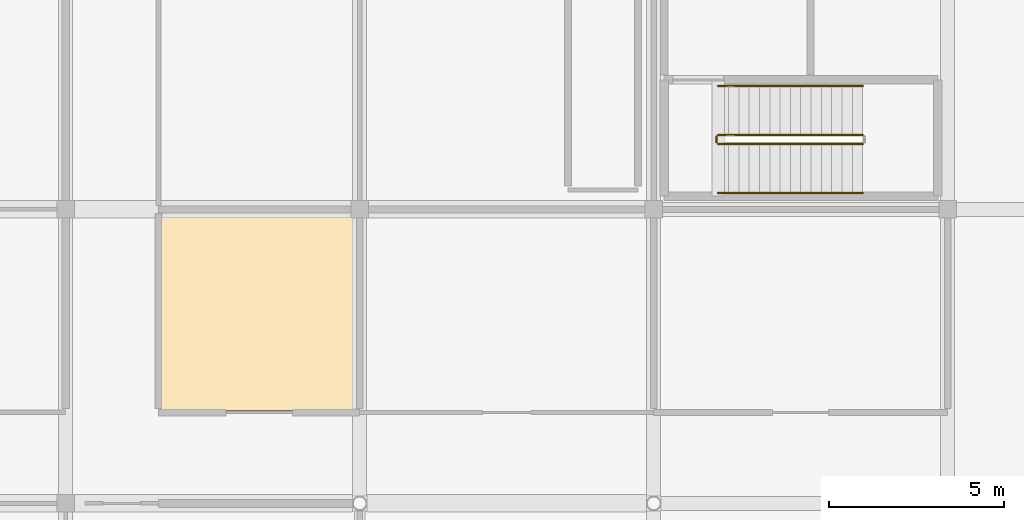
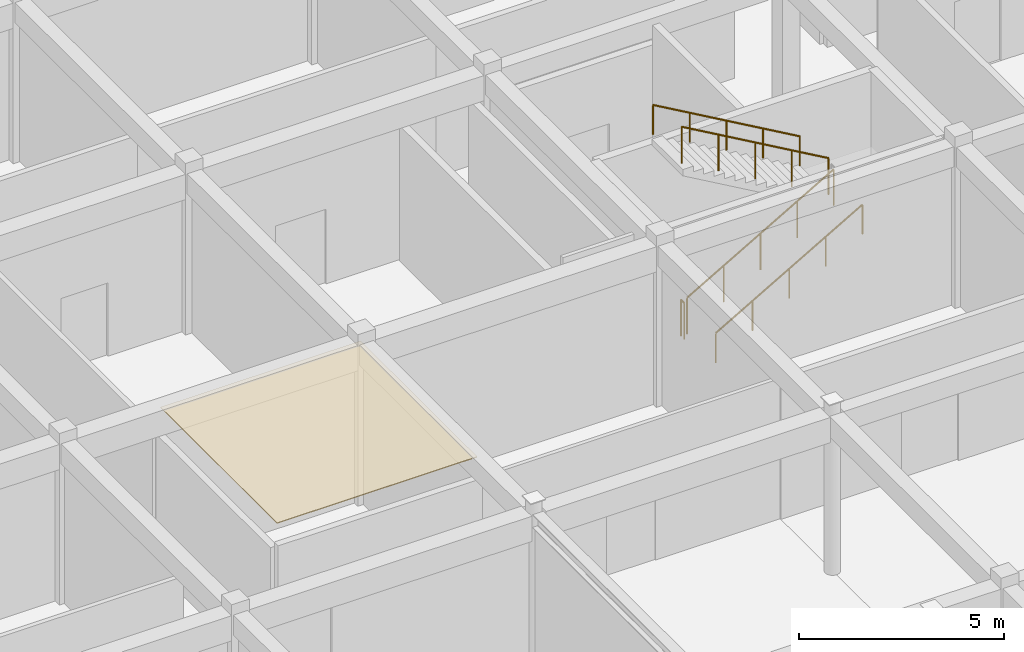
# One storey, part 123 of 134: 5 railings, 1 covering.
"""IFC4 building model written with IfcOpenShell, lengths in metres."""

from ifc_helpers import new_model, si_unit, direction, frame, origin, origin_2d, place, context, subcontext, project, spatial, polyline, circle, outline, extrude, material, layer, layer_set, type_object, element, save


model = new_model("IFC4")

# Units and contexts
model_context = context("Model", 3, precision=1e-05, world=origin(), true_north=direction((0.0, 1.0)))
body_context = subcontext(model_context, "Body", "Model", "MODEL_VIEW")
ifc_project = project(units=[si_unit("LENGTHUNIT", "METRE"), si_unit("AREAUNIT", "SQUARE_METRE"), si_unit("VOLUMEUNIT", "CUBIC_METRE"), si_unit("PLANEANGLEUNIT", "RADIAN"), si_unit("MASSUNIT", "GRAM", prefix="KILO")], contexts=[model_context])

# Site, building, storey
site_placement = place(None, origin())
site = spatial("IfcSite", under=ifc_project, at=site_placement, CompositionType="ELEMENT")
building_placement = place(site_placement, origin())
building = spatial("IfcBuilding", under=site, at=building_placement, Name="Bramfleet General Hospital", CompositionType="ELEMENT")
storey_placement = place(building_placement, frame((0.0, 0.0, 9.300048828125)))
storey = spatial("IfcBuildingStorey", under=building, at=storey_placement, Name="L02", CompositionType="ELEMENT", Elevation=9.300048828125)

# Covering
ifc_material_1 = material(Name="Hygienic acoustic mineral-fibre ceiling")
ifc_layer = layer(ifc_material_1, 0.02490234375, Name="COV-HYG-CEIL")
ifc_layer_set = layer_set([ifc_layer], Name="Hygienic acoustic mineral-fibre ceiling")
covering_type = type_object("IfcCoveringType", Name="COV-HYG-CEIL", PredefinedType="CEILING", material=ifc_layer_set)
covering_placement = place(storey_placement, frame((0.0, 0.0, 4.71484375)))
element("IfcCovering", 1, at=covering_placement, inside=storey, type_object=covering_type, Name="Operating Theatre 3 Hygienic Ceiling", PredefinedType="CEILING", context=body_context, shape_type="SweptSolid", body=[
    extrude(outline(polyline([(44.7099609375, 61.4599609375), (44.7099609375, 67.139892578125), (50.340087890625, 67.139892578125), (50.340087890625, 61.4599609375), (44.7099609375, 61.4599609375)])), origin(), (0.0, 0.0, 1.0), 0.025146484375),
])

# Railings
ifc_material_2 = material(Name="Powder-coated steel stair balustrade", Category="steel")
railing_type_1 = type_object("IfcRailingType", Name="RAIL-ST-GUARD", PredefinedType="GUARDRAIL", material=ifc_material_2)
railing_1_placement = place(storey_placement, frame((60.639892578125, 69.070068359375, 0.169921875)))
element("IfcRailing", 2, at=railing_1_placement, inside=storey, type_object=railing_type_1, Name="L02 ST-C13 stair guard 1", PredefinedType="GUARDRAIL", context=body_context, shape_type="SweptSolid", body=[
    extrude(circle(Radius=0.02392578125, at=origin_2d()), frame((0.0, 0.0, 1.076171875), z_axis=(0.866425082981, 0.0, 0.499307095465), x_axis=(0.0, 1.0, 0.0)), (0.0, 0.0, 1.0), 4.766845703125),
    extrude(circle(Radius=0.02099609375, at=origin_2d()), origin(), (0.0, 0.0, 1.0), 1.052001953125),
    extrude(circle(Radius=0.02099609375, at=origin_2d()), frame((1.032470703125, 0.0, 0.594970703125)), (0.0, 0.0, 1.0), 1.052001953125),
    extrude(circle(Radius=0.02099609375, at=origin_2d()), frame((2.06494140625, 0.0, 1.18994140625)), (0.0, 0.0, 1.0), 1.052001953125),
    extrude(circle(Radius=0.02099609375, at=origin_2d()), frame((3.09765625, 0.0, 1.78515625)), (0.0, 0.0, 1.0), 1.052001953125),
    extrude(circle(Radius=0.02099609375, at=origin_2d()), frame((4.130126953125, 0.0, 2.380126953125)), (0.0, 0.0, 1.0), 1.052001953125),
])
railing_2_placement = place(storey_placement, frame((64.77001953125, 69.330078125, 2.719970703125)))
element("IfcRailing", 3, at=railing_2_placement, inside=storey, type_object=railing_type_1, Name="L02 ST-C13 stair guard 3", PredefinedType="GUARDRAIL", context=body_context, shape_type="SweptSolid", body=[
    extrude(circle(Radius=0.02392578125, at=origin_2d()), frame((0.0, 0.0, 1.076171875), z_axis=(-0.866447239463, 0.0, 0.499268646349), x_axis=(0.0, -1.0, 0.0)), (0.0, 0.0, 1.0), 4.766845703125),
    extrude(circle(Radius=0.02099609375, at=origin_2d()), origin(), (0.0, 0.0, 1.0), 1.052001953125),
    extrude(circle(Radius=0.02099609375, at=origin_2d()), frame((-1.032470703125, 0.0, 0.594970703125)), (0.0, 0.0, 1.0), 1.052001953125),
    extrude(circle(Radius=0.02099609375, at=origin_2d()), frame((-2.06494140625, 0.0, 1.18994140625)), (0.0, 0.0, 1.0), 1.052001953125),
    extrude(circle(Radius=0.02099609375, at=origin_2d()), frame((-3.09765625, 0.0, 1.784912109375)), (0.0, 0.0, 1.0), 1.052001953125),
    extrude(circle(Radius=0.02099609375, at=origin_2d()), frame((-4.130126953125, 0.0, 2.3798828125)), (0.0, 0.0, 1.0), 1.052001953125),
])
railing_3_placement = place(storey_placement, frame((60.590087890625, 69.1201171875, 0.0)))
element("IfcRailing", 4, at=railing_3_placement, inside=storey, type_object=railing_type_1, Name="L02 ST-C13 stair guard 4", PredefinedType="GUARDRAIL", context=body_context, shape_type="SweptSolid", body=[
    extrude(circle(Radius=0.02392578125, at=origin_2d()), frame((0.0, 0.0, 1.076171875), z_axis=(0.0, 1.0, 0.0), x_axis=(-1.0, 0.0, 0.0)), (0.0, 0.0, 1.0), 0.159912109375),
    extrude(circle(Radius=0.02099609375, at=origin_2d()), origin(), (0.0, 0.0, 1.0), 1.052001953125),
    extrude(circle(Radius=0.02099609375, at=origin_2d()), frame((0.0, 0.159912109375, 0.0)), (0.0, 0.0, 1.0), 1.052001953125),
])
ifc_material_3 = material(Name="Stainless steel 1.4301 stair handrail", Category="steel")
railing_type_2 = type_object("IfcRailingType", Name="RAIL-ST-HND", PredefinedType="HANDRAIL", material=ifc_material_3)
railing_4_placement = place(storey_placement, frame((60.639892578125, 67.669921875, 0.169921875)))
element("IfcRailing", 5, at=railing_4_placement, inside=storey, type_object=railing_type_2, Name="L02 ST-C13 stair handrail 1", PredefinedType="HANDRAIL", context=body_context, shape_type="SweptSolid", body=[
    extrude(circle(Radius=0.02392578125, at=origin_2d()), frame((0.0, 0.0, 0.8759765625), z_axis=(0.866425082981, 0.0, 0.499307095465), x_axis=(0.0, 1.0, 0.0)), (0.0, 0.0, 1.0), 4.766845703125),
    extrude(circle(Radius=0.02099609375, at=origin_2d()), origin(), (0.0, 0.0, 1.0), 0.851806640625),
    extrude(circle(Radius=0.02099609375, at=origin_2d()), frame((1.032470703125, 0.0, 0.594970703125)), (0.0, 0.0, 1.0), 0.851806640625),
    extrude(circle(Radius=0.02099609375, at=origin_2d()), frame((2.06494140625, 0.0, 1.18994140625)), (0.0, 0.0, 1.0), 0.851806640625),
    extrude(circle(Radius=0.02099609375, at=origin_2d()), frame((3.09765625, 0.0, 1.78515625)), (0.0, 0.0, 1.0), 0.851806640625),
    extrude(circle(Radius=0.02099609375, at=origin_2d()), frame((4.130126953125, 0.0, 2.380126953125)), (0.0, 0.0, 1.0), 0.851806640625),
])
railing_5_placement = place(storey_placement, frame((64.77001953125, 70.72998046875, 2.719970703125)))
element("IfcRailing", 6, at=railing_5_placement, inside=storey, type_object=railing_type_2, Name="L02 ST-C13 stair handrail 2", PredefinedType="HANDRAIL", context=body_context, shape_type="SweptSolid", body=[
    extrude(circle(Radius=0.02392578125, at=origin_2d()), frame((0.0, 0.0, 0.8759765625), z_axis=(-0.866447239463, 0.0, 0.499268646349), x_axis=(0.0, -1.0, 0.0)), (0.0, 0.0, 1.0), 4.766845703125),
    extrude(circle(Radius=0.02099609375, at=origin_2d()), origin(), (0.0, 0.0, 1.0), 0.851806640625),
    extrude(circle(Radius=0.02099609375, at=origin_2d()), frame((-1.032470703125, 0.0, 0.594970703125)), (0.0, 0.0, 1.0), 0.851806640625),
    extrude(circle(Radius=0.02099609375, at=origin_2d()), frame((-2.06494140625, 0.0, 1.18994140625)), (0.0, 0.0, 1.0), 0.851806640625),
    extrude(circle(Radius=0.02099609375, at=origin_2d()), frame((-3.09765625, 0.0, 1.784912109375)), (0.0, 0.0, 1.0), 0.851806640625),
    extrude(circle(Radius=0.02099609375, at=origin_2d()), frame((-4.130126953125, 0.0, 2.3798828125)), (0.0, 0.0, 1.0), 0.851806640625),
])

save(model, "model.ifc")
